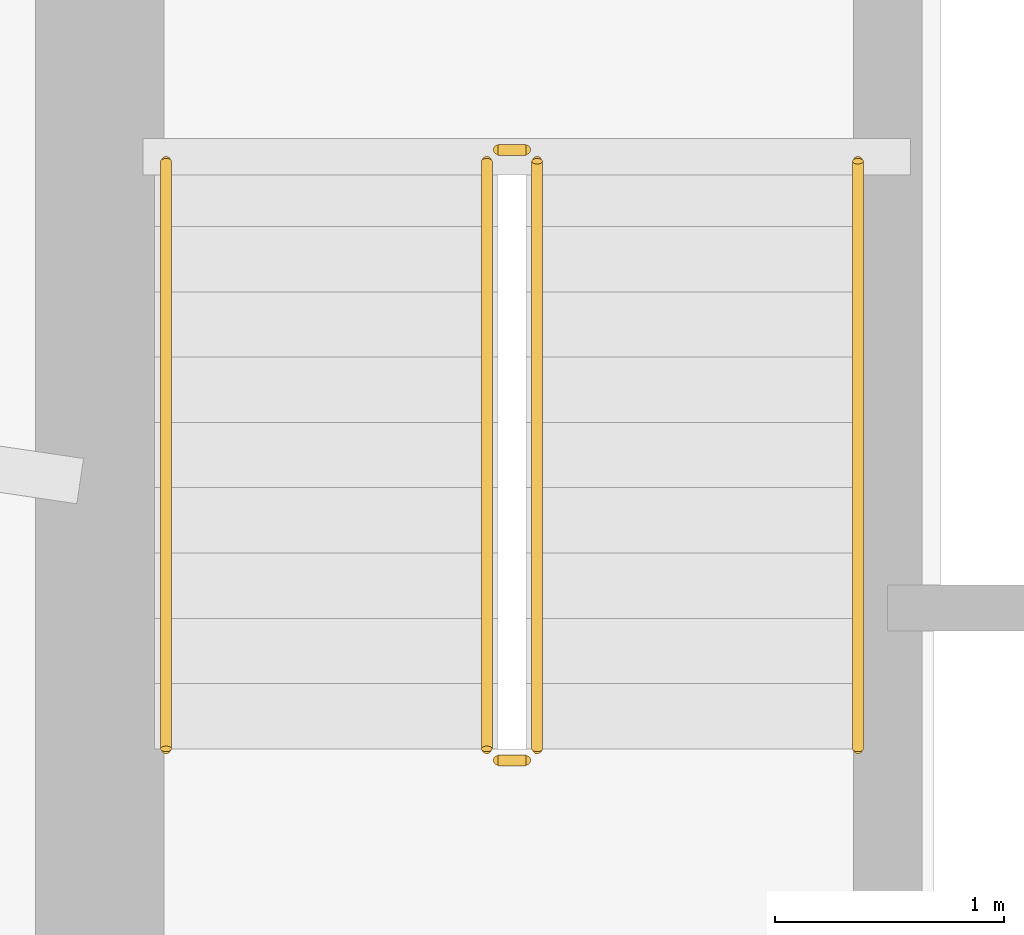
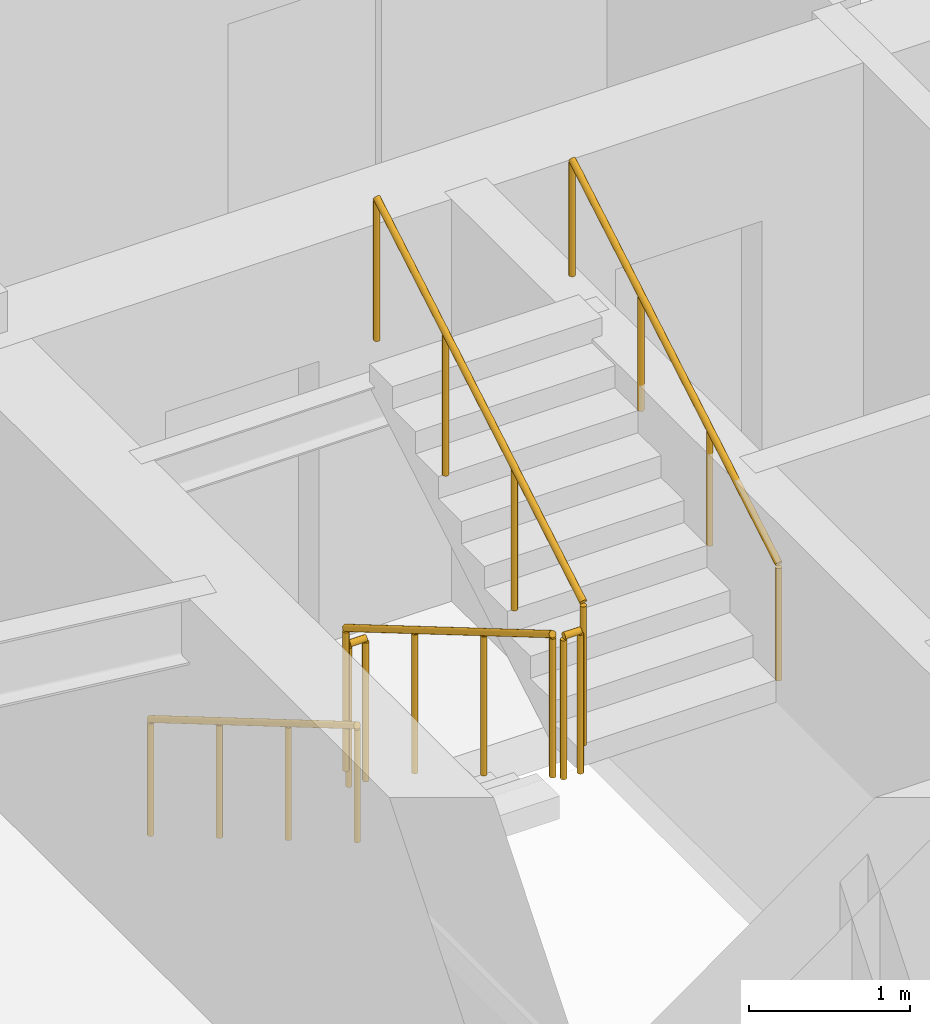
# One storey, part 18 of 20: 6 railings.
"""IFC4 building model written with IfcOpenShell, lengths in metres."""

from ifc_helpers import new_model, si_unit, direction, frame, origin, origin_2d, place, context, subcontext, project, spatial, circle, extrude, material, type_object, element, save


model = new_model("IFC4")

# Units and contexts
model_context = context("Model", 3, precision=1e-05, world=origin(), true_north=direction((0.0, 1.0)))
body_context = subcontext(model_context, "Body", "Model", "MODEL_VIEW")
ifc_project = project(units=[si_unit("LENGTHUNIT", "METRE"), si_unit("AREAUNIT", "SQUARE_METRE"), si_unit("VOLUMEUNIT", "CUBIC_METRE"), si_unit("PLANEANGLEUNIT", "RADIAN"), si_unit("MASSUNIT", "GRAM", prefix="KILO")], contexts=[model_context])

# Site, building, storey
site_placement = place(None, origin())
site = spatial("IfcSite", under=ifc_project, at=site_placement, CompositionType="ELEMENT")
building_placement = place(site_placement, origin())
building = spatial("IfcBuilding", under=site, at=building_placement, Name="Qobustan Lattice House", CompositionType="ELEMENT")
storey_placement = place(building_placement, frame((0.0, 0.0, 89.050048828125)))
storey = spatial("IfcBuildingStorey", under=building, at=storey_placement, Name="L24", CompositionType="ELEMENT", Elevation=89.050048828125)

# Railings
ifc_material_1 = material(Name="Brushed stainless steel handrail", Category="steel")
railing_type_1 = type_object("IfcRailingType", Name="RAL-HR-920", PredefinedType="HANDRAIL", material=ifc_material_1)
railing_1_placement = place(storey_placement, frame((-18.199951171875, 3.5, 0.16748046875)))
element("IfcRailing", 1, at=railing_1_placement, inside=storey, type_object=railing_type_1, Name="L24 ST-W1 stair handrail 1", PredefinedType="HANDRAIL", context=body_context, shape_type="SweptSolid", body=[
    extrude(circle(Radius=0.02392578125, at=origin_2d()), frame((0.0, 0.0, 0.8759765625), z_axis=(0.0, -0.862113467892, 0.50671527358), x_axis=(1.0, 0.0, 0.0)), (0.0, 0.0, 1.0), 2.97509765625),
    extrude(circle(Radius=0.02099609375, at=origin_2d()), origin(), (0.0, 0.0, 1.0), 0.851806640625),
    extrude(circle(Radius=0.02099609375, at=origin_2d()), frame((0.0, -0.85498046875, 0.50244140625)), (0.0, 0.0, 1.0), 0.851806640625),
    extrude(circle(Radius=0.02099609375, at=origin_2d()), frame((0.0, -1.7099609375, 1.005126953125)), (0.0, 0.0, 1.0), 0.851806640625),
    extrude(circle(Radius=0.02099609375, at=origin_2d()), frame((0.0, -2.56494140625, 1.507568359375)), (0.0, 0.0, 1.0), 0.851806640625),
])
railing_2_placement = place(storey_placement, frame((-15.179931640625, 0.93505859375, 1.842529296875)))
element("IfcRailing", 2, at=railing_2_placement, inside=storey, type_object=railing_type_1, Name="L24 ST-W1 stair handrail 2", PredefinedType="HANDRAIL", context=body_context, shape_type="SweptSolid", body=[
    extrude(circle(Radius=0.02392578125, at=origin_2d()), frame((0.0, 0.0, 0.8759765625), z_axis=(0.0, 0.862149314443, 0.506654280161), x_axis=(-1.0, 0.0, 0.0)), (0.0, 0.0, 1.0), 2.97509765625),
    extrude(circle(Radius=0.02099609375, at=origin_2d()), origin(), (0.0, 0.0, 1.0), 0.851806640625),
    extrude(circle(Radius=0.02099609375, at=origin_2d()), frame((0.0, 0.85498046875, 0.50244140625)), (0.0, 0.0, 1.0), 0.851806640625),
    extrude(circle(Radius=0.02099609375, at=origin_2d()), frame((0.0, 1.7099609375, 1.0048828125)), (0.0, 0.0, 1.0), 0.851806640625),
    extrude(circle(Radius=0.02099609375, at=origin_2d()), frame((0.0, 2.56494140625, 1.50732421875)), (0.0, 0.0, 1.0), 0.851806640625),
])
ifc_material_2 = material(Name="Painted galvanized steel guardrail", Category="steel")
railing_type_2 = type_object("IfcRailingType", Name="RAL-STG-1150", PredefinedType="GUARDRAIL", material=ifc_material_2)
railing_3_placement = place(storey_placement, frame((-16.800048828125, 3.5, 0.16748046875)))
element("IfcRailing", 3, at=railing_3_placement, inside=storey, type_object=railing_type_2, Name="L24 ST-W1 stair guard 1", PredefinedType="GUARDRAIL", context=body_context, shape_type="SweptSolid", body=[
    extrude(circle(Radius=0.02392578125, at=origin_2d()), frame((0.0, 0.0, 1.076171875), z_axis=(0.0, -0.862113467892, 0.50671527358), x_axis=(1.0, 0.0, 0.0)), (0.0, 0.0, 1.0), 2.97509765625),
    extrude(circle(Radius=0.02099609375, at=origin_2d()), origin(), (0.0, 0.0, 1.0), 1.052001953125),
    extrude(circle(Radius=0.02099609375, at=origin_2d()), frame((0.0, -0.85498046875, 0.50244140625)), (0.0, 0.0, 1.0), 1.052001953125),
    extrude(circle(Radius=0.02099609375, at=origin_2d()), frame((0.0, -1.7099609375, 1.005126953125)), (0.0, 0.0, 1.0), 1.052001953125),
    extrude(circle(Radius=0.02099609375, at=origin_2d()), frame((0.0, -2.56494140625, 1.507568359375)), (0.0, 0.0, 1.0), 1.052001953125),
])
railing_4_placement = place(storey_placement, frame((-16.75, 0.885009765625, 1.675048828125)))
element("IfcRailing", 4, at=railing_4_placement, inside=storey, type_object=railing_type_2, Name="L24 ST-W1 stair guard 2", PredefinedType="GUARDRAIL", context=body_context, shape_type="SweptSolid", body=[
    extrude(circle(Radius=0.02392578125, at=origin_2d()), frame((0.0, 0.0, 1.076171875), z_axis=(1.0, 0.0, 0.0), x_axis=(0.0, 1.0, 0.0)), (0.0, 0.0, 1.0), 0.1201171875),
    extrude(circle(Radius=0.02099609375, at=origin_2d()), origin(), (0.0, 0.0, 1.0), 1.052001953125),
    extrude(circle(Radius=0.02099609375, at=origin_2d()), frame((0.1201171875, 0.0, 0.0)), (0.0, 0.0, 1.0), 1.052001953125),
])
railing_5_placement = place(storey_placement, frame((-16.580078125, 0.93505859375, 1.842529296875)))
element("IfcRailing", 5, at=railing_5_placement, inside=storey, type_object=railing_type_2, Name="L24 ST-W1 stair guard 3", PredefinedType="GUARDRAIL", context=body_context, shape_type="SweptSolid", body=[
    extrude(circle(Radius=0.02392578125, at=origin_2d()), frame((0.0, 0.0, 1.076171875), z_axis=(0.0, 0.862149314443, 0.506654280161), x_axis=(-1.0, 0.0, 0.0)), (0.0, 0.0, 1.0), 2.97509765625),
    extrude(circle(Radius=0.02099609375, at=origin_2d()), origin(), (0.0, 0.0, 1.0), 1.052001953125),
    extrude(circle(Radius=0.02099609375, at=origin_2d()), frame((0.0, 0.85498046875, 0.50244140625)), (0.0, 0.0, 1.0), 1.052001953125),
    extrude(circle(Radius=0.02099609375, at=origin_2d()), frame((0.0, 1.7099609375, 1.0048828125)), (0.0, 0.0, 1.0), 1.052001953125),
    extrude(circle(Radius=0.02099609375, at=origin_2d()), frame((0.0, 2.56494140625, 1.50732421875)), (0.0, 0.0, 1.0), 1.052001953125),
])
railing_6_placement = place(storey_placement, frame((-16.75, 3.550048828125, 0.0)))
element("IfcRailing", 6, at=railing_6_placement, inside=storey, type_object=railing_type_2, Name="L24 ST-W1 stair guard 4", PredefinedType="GUARDRAIL", context=body_context, shape_type="SweptSolid", body=[
    extrude(circle(Radius=0.02392578125, at=origin_2d()), frame((0.0, 0.0, 1.076171875), z_axis=(1.0, 0.0, 0.0), x_axis=(0.0, 1.0, 0.0)), (0.0, 0.0, 1.0), 0.1201171875),
    extrude(circle(Radius=0.02099609375, at=origin_2d()), origin(), (0.0, 0.0, 1.0), 1.052001953125),
    extrude(circle(Radius=0.02099609375, at=origin_2d()), frame((0.1201171875, 0.0, 0.0)), (0.0, 0.0, 1.0), 1.052001953125),
])

save(model, "model.ifc")
